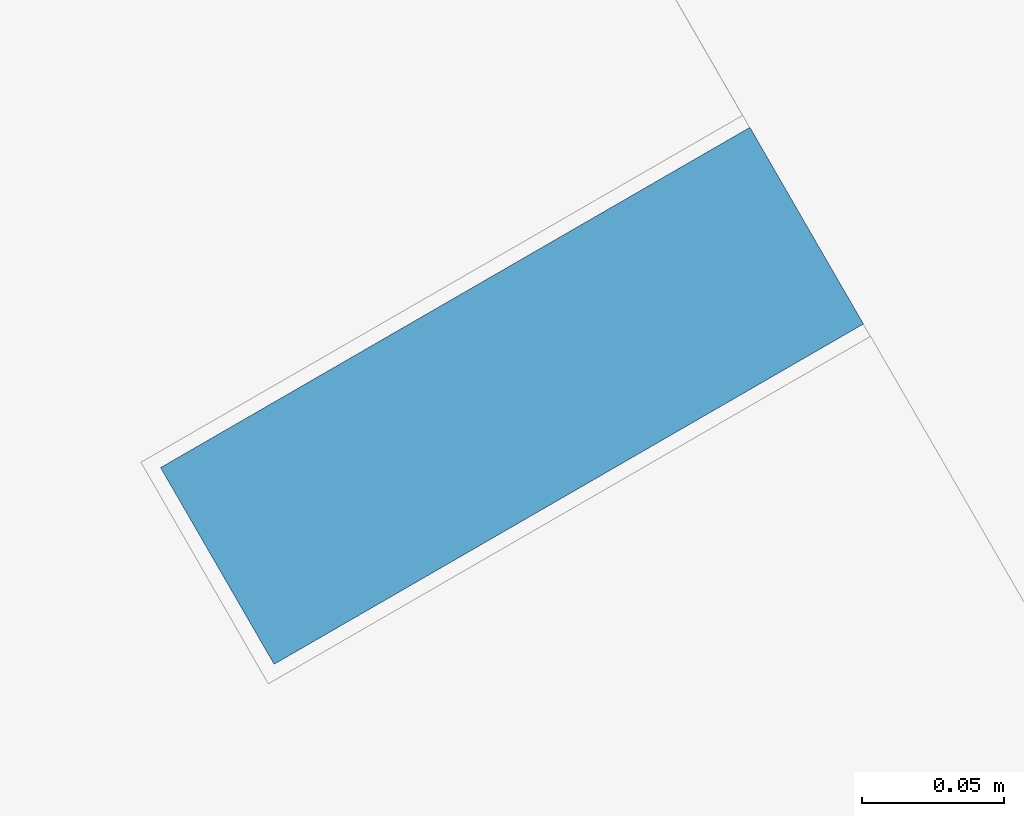
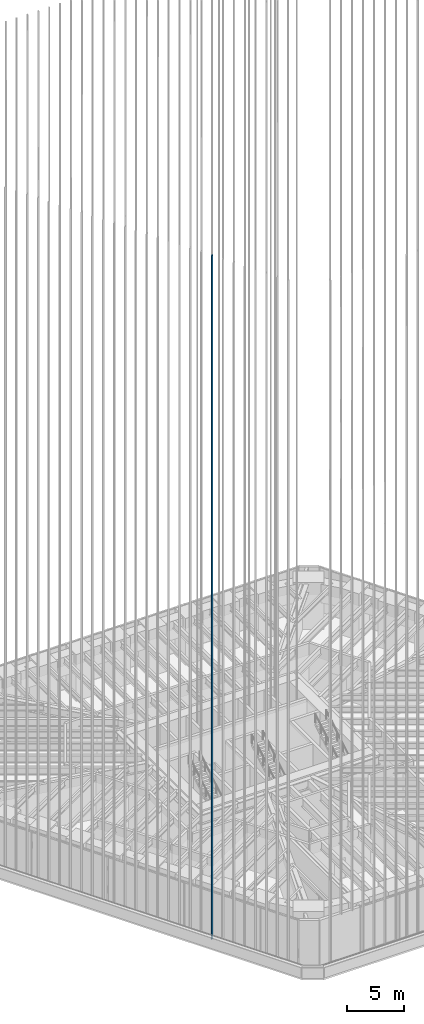
# One storey, part 6 of 228: 1 member, 1 element without a shape of its own.
"""IFC4 building model written with IfcOpenShell, lengths in metres."""

from ifc_helpers import new_model, si_unit, direction, frame, origin, origin_2d, place, context, subcontext, project, spatial, rectangle, extrude, material, material_profile, profile_set, type_object, element, aggregate, save


model = new_model("IFC4")

# Units and contexts
model_context = context("Model", 3, precision=1e-05, world=origin(), true_north=direction((0.0, 1.0)))
body_context = subcontext(model_context, "Body", "Model", "MODEL_VIEW")
ifc_project = project(units=[si_unit("LENGTHUNIT", "METRE"), si_unit("AREAUNIT", "SQUARE_METRE"), si_unit("VOLUMEUNIT", "CUBIC_METRE"), si_unit("PLANEANGLEUNIT", "RADIAN"), si_unit("MASSUNIT", "GRAM", prefix="KILO")], contexts=[model_context])

# Site, building, storey
site_placement = place(None, origin())
site = spatial("IfcSite", under=ifc_project, at=site_placement, CompositionType="ELEMENT")
building_placement = place(site_placement, origin())
building = spatial("IfcBuilding", under=site, at=building_placement, Name="Sandreach Pilgrim Tower", CompositionType="ELEMENT")
storey_placement = place(building_placement, frame((0.0, 0.0, 178.199951171875)))
storey = spatial("IfcBuildingStorey", under=building, at=storey_placement, Name="L44", CompositionType="ELEMENT", Elevation=178.199951171875)

# Curtain wall, member
ifc_material_1 = material(Name="Aluminium framed curtain wall", Category="aluminium")
curtain_wall_type = type_object("IfcCurtainWallType", Name="Upper hotel tower curtain wall", PredefinedType="NOTDEFINED", material=ifc_material_1)
curtain_wall_placement = place(storey_placement, origin())
curtain_wall = element("IfcCurtainWall", 1, at=curtain_wall_placement, inside=storey, type_object=curtain_wall_type, Name="CW-3 L44 SW", PredefinedType="NOTDEFINED")
ifc_material_2 = material(Name="Extruded terracotta on aluminium core", Category="masonry")
ifc_material_profile = material_profile(ifc_material_2, rectangle(XDim=0.080078125, YDim=0.239990234375, at=origin_2d()), Name="TBW 80X240")
ifc_profile_set = profile_set([ifc_material_profile], Name="Extruded terracotta on aluminium core")
member_type = type_object("IfcMemberType", Name="Terracotta baguette west", PredefinedType="USERDEFINED", material=ifc_profile_set)
member_placement = place(storey_placement, frame((-14.28076171875, -18.425048828125, 0.0), z_axis=(0.0, 0.0, 1.0), x_axis=(-0.5, 0.866025403784, 0.0)))
member = element("IfcMember", 2, at=member_placement, type_object=member_type, Name="Baguette Z3 SW08", ObjectType="BAGUETTE", PredefinedType="USERDEFINED", context=body_context, shape_type="SweptSolid", body=[
    extrude(rectangle(XDim=0.080078125, YDim=0.239990234375, at=origin_2d()), origin(), (0.0, 0.0, 1.0), 73.239990234375),
])
aggregate(curtain_wall, [member])

save(model, "model.ifc")
